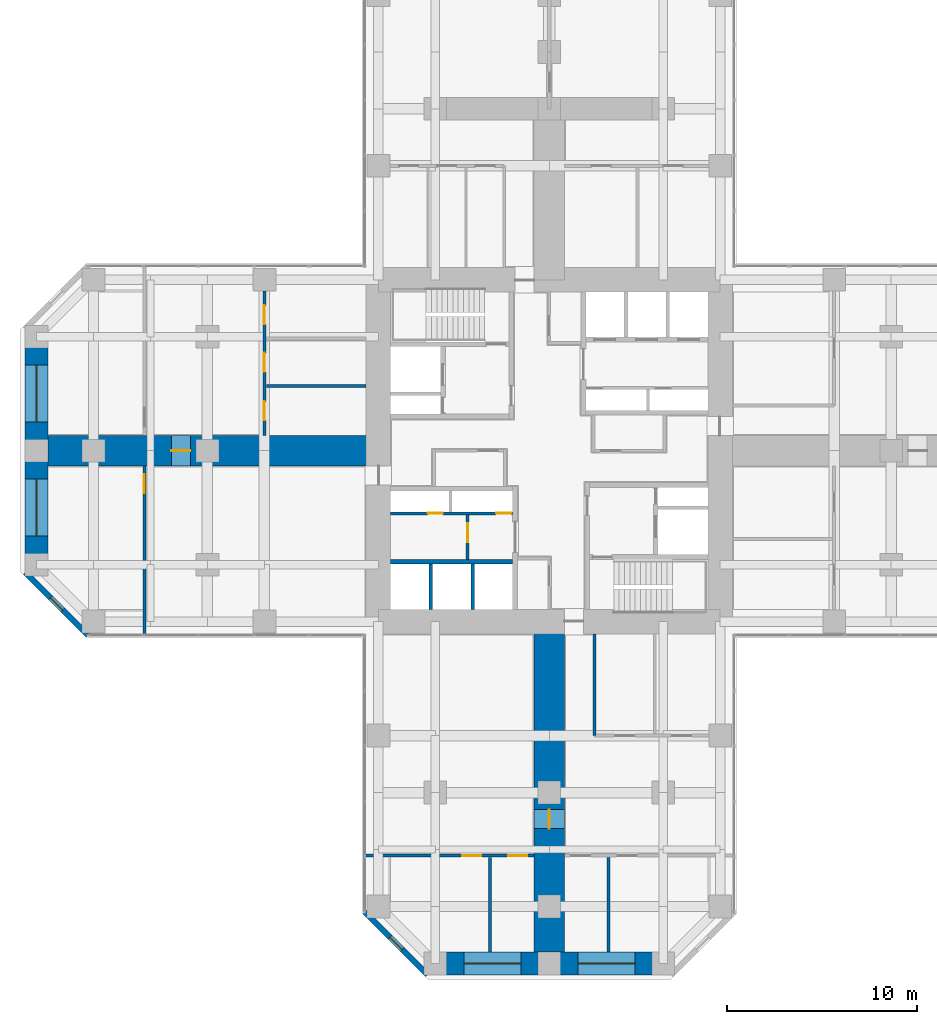
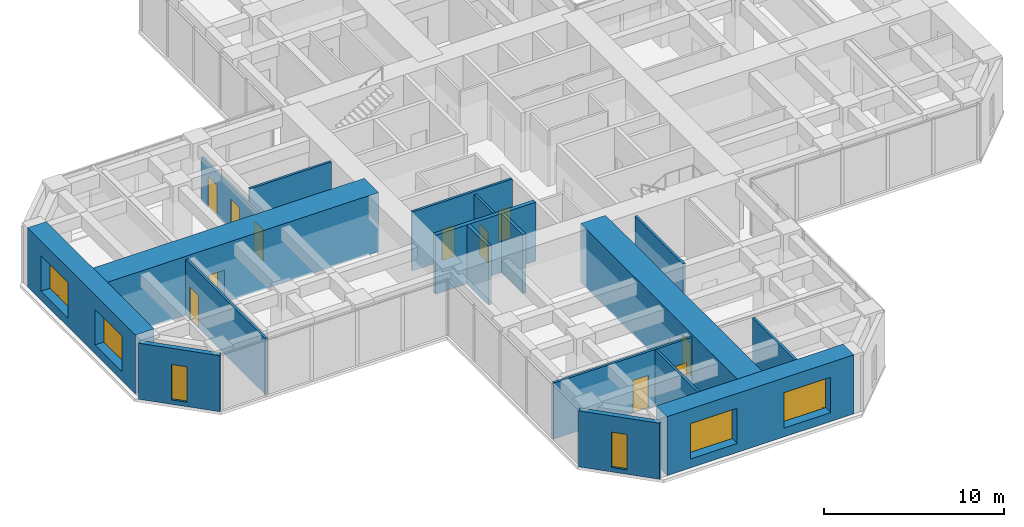
# One storey, part 8 of 13: 18 walls, 11 doors, 6 windows, 17 openings.
"""IFC4 building model written with IfcOpenShell, lengths in metres."""

import ifcopenshell
import ifcopenshell.guid

model = None  # the IFC model being written
_history = None  # IfcOwnerHistory: only IFC2X3 demands one
_inside = {}  # id of a spatial element -> (the spatial element, [elements in it])
_under = {}  # id of a project, library or spatial element -> (it, [spatial elements below it])
_declared = {}  # id of a project -> (the project, [libraries it declares])
_typed = {}  # id of a type object -> (the type object, [elements of that type])
_made_of = {}  # id of a material, layer set ... -> (it, [elements and type objects made of it])


def new_model(schema):
    """Start an empty IFC model of exactly this schema.

    Asked for "IFC4X3", IfcOpenShell would pick the latest addendum, in which some entities
    have other attributes; the version numbers below select the first issue.
    IFC2X3 requires an IfcOwnerHistory on every rooted entity: one is made here for all.
    """
    global model, _history
    if schema == "IFC4X3":
        model = ifcopenshell.file(schema_version=(4, 3, 0, 0))
    else:
        model = ifcopenshell.file(schema=schema)
    _inside.clear()
    _under.clear()
    _declared.clear()
    _typed.clear()
    _made_of.clear()
    _history = None
    if model.schema == "IFC2X3":
        org = make("IfcOrganization", Name="unknown")
        user = make(
            "IfcPersonAndOrganization",
            ThePerson=make("IfcPerson", FamilyName="unknown"),
            TheOrganization=org,
        )
        app = make(
            "IfcApplication",
            ApplicationDeveloper=org,
            Version="unknown",
            ApplicationFullName="unknown",
            ApplicationIdentifier="unknown",
        )
        _history = make(
            "IfcOwnerHistory",
            OwningUser=user,
            OwningApplication=app,
            ChangeAction="ADDED",
            CreationDate=0,
        )
    return model


def make(cls, **values):
    """One entity of the class cls with the attributes given. An attribute that is None is left unset."""
    return model.create_entity(
        cls, **{name: value for name, value in values.items() if value is not None}
    )


def rooted(cls, **values):
    """An entity with a GlobalId (a new one), such as an element, a storey or a relation."""
    return make(cls, GlobalId=ifcopenshell.guid.new(), OwnerHistory=_history, **values)


def si_unit(unit_type, name, prefix=None):
    """IfcSIUnit, for example si_unit("LENGTHUNIT", "METRE", prefix="MILLI")."""
    return make("IfcSIUnit", UnitType=unit_type, Prefix=prefix, Name=name)


def assignment(units):
    """IfcUnitAssignment: the units of a project."""
    return None if units is None else make("IfcUnitAssignment", Units=units)


def point(xyz):
    """IfcCartesianPoint."""
    return None if xyz is None else make("IfcCartesianPoint", Coordinates=xyz)


def direction(xyz):
    """IfcDirection."""
    return None if xyz is None else make("IfcDirection", DirectionRatios=xyz)


def frame(location, z_axis=None, x_axis=None):
    """IfcAxis2Placement3D, a coordinate frame: its origin and axes. An axis left out is left unset."""
    return make(
        "IfcAxis2Placement3D",
        Location=point(location),
        Axis=direction(z_axis),
        RefDirection=direction(x_axis),
    )


def frame_2d(location, x_axis=None):
    """IfcAxis2Placement2D, a coordinate frame in the plane: its origin and x axis."""
    return make(
        "IfcAxis2Placement2D", Location=point(location), RefDirection=direction(x_axis)
    )


def origin():
    """The frame at (0, 0, 0) with its axes left unset."""
    return frame((0.0, 0.0, 0.0))


def place(relative_to, where):
    """IfcLocalPlacement: puts the frame where relative to a parent placement (None: the world)."""
    return make(
        "IfcLocalPlacement", PlacementRelTo=relative_to, RelativePlacement=where
    )


def context(
    kind, dimensions, precision=None, world=None, true_north=None, identifier=None
):
    """IfcGeometricRepresentationContext, for example the 3D "Model" context."""
    return make(
        "IfcGeometricRepresentationContext",
        ContextIdentifier=identifier,
        ContextType=kind,
        CoordinateSpaceDimension=dimensions,
        Precision=precision,
        WorldCoordinateSystem=world,
        TrueNorth=true_north,
    )


def subcontext(parent, identifier, kind, view, scale=None):
    """IfcGeometricRepresentationSubContext, for example "Body" below "Model"."""
    return make(
        "IfcGeometricRepresentationSubContext",
        ContextIdentifier=identifier,
        ContextType=kind,
        ParentContext=parent,
        TargetScale=scale,
        TargetView=view,
    )


def project(units=None, contexts=None):
    """IfcProject with its units and contexts."""
    return rooted(
        "IfcProject",
        Name="project",
        RepresentationContexts=contexts,
        UnitsInContext=assignment(units),
    )


def spatial(cls, under=None, at=None, **own):
    """A site, building, storey or space (cls), placed at a placement, below another one or the project."""
    s = rooted(cls, ObjectPlacement=at, **own)
    if under is not None:
        _under.setdefault(under.id(), (under, []))[1].append(s)
    return s


def profile(cls, at=None, kind="AREA", **sizes):
    """A parametric profile (cls). Its sizes go by their IFC names, for example OverallWidth=200.0."""
    return make(cls, ProfileType=kind, Position=at, **sizes)


def rectangle(**sizes):
    """IfcRectangleProfileDef."""
    return profile("IfcRectangleProfileDef", **sizes)


def hollow_rectangle(**sizes):
    """IfcRectangleHollowProfileDef."""
    return profile("IfcRectangleHollowProfileDef", **sizes)


def extrude(swept, where, along, depth):
    """IfcExtrudedAreaSolid: the profile swept, set in the frame where, extruded along a direction by depth."""
    return make(
        "IfcExtrudedAreaSolid",
        SweptArea=swept,
        Position=where,
        ExtrudedDirection=direction(along),
        Depth=depth,
    )


def shape(context_of_items, identifier, shape_type, items):
    """IfcShapeRepresentation: the items that make up one representation, for example the "Body"."""
    return make(
        "IfcShapeRepresentation",
        ContextOfItems=context_of_items,
        RepresentationIdentifier=identifier,
        RepresentationType=shape_type,
        Items=items,
    )


def material(Name=None, Category=None):
    """IfcMaterial."""
    return make("IfcMaterial", Name=Name, Category=Category)


def layer(
    of_material, thickness, ventilated=None, Name=None, Category=None, Priority=None
):
    """IfcMaterialLayer: one layer of a wall or slab, of a material (None: an air gap)."""
    return make(
        "IfcMaterialLayer",
        Material=of_material,
        LayerThickness=thickness,
        IsVentilated=ventilated,
        Name=Name,
        Category=Category,
        Priority=Priority,
    )


def layer_set(layers, Name=None):
    """IfcMaterialLayerSet."""
    return make("IfcMaterialLayerSet", MaterialLayers=layers, LayerSetName=Name)


def constituent(of_material, Name=None, Category=None, fraction=None):
    """IfcMaterialConstituent: one of the materials an element consists of."""
    return make(
        "IfcMaterialConstituent",
        Name=Name,
        Material=of_material,
        Fraction=fraction,
        Category=Category,
    )


def constituent_set(constituents=None, Name=None):
    """IfcMaterialConstituentSet."""
    return make(
        "IfcMaterialConstituentSet", Name=Name, MaterialConstituents=constituents
    )


def made_of(thing, what):
    """Note that an element or type object is made of a material, layer set ...; save() writes the relation."""
    if what is not None:
        _made_of.setdefault(what.id(), (what, []))[1].append(thing)
    return thing


def type_object(cls, material=None, **own):
    """A type object (cls), such as IfcWallType, which elements share."""
    return made_of(rooted(cls, **own), material)


def element(
    cls,
    number,
    at=None,
    inside=None,
    cuts=None,
    type_object=None,
    material=None,
    context=None,
    identifier="Body",
    shape_type=None,
    held_by="IfcProductDefinitionShape",
    body=None,
    shapes=None,
    **own,
):
    """One element of the class cls, such as IfcWall. Its Tag is "e" and its number.

    at: its placement. inside: the storey or other place that contains it. cuts: it is an
    opening in that element (IfcRelVoidsElement). A single representation is given by context,
    identifier, shape_type and body (its items); several are given by shapes. held_by: the class
    of the entity that holds the representations. save() writes the other relations.
    """
    e = rooted(cls, Tag="e%d" % number, ObjectPlacement=at, **own)
    if body is not None:
        shapes = [shape(context, identifier, shape_type, body)]
    if shapes is not None:
        e.Representation = make(held_by, Representations=shapes)
    if inside is not None:
        _inside.setdefault(inside.id(), (inside, []))[1].append(e)
    if cuts is not None:
        rooted(
            "IfcRelVoidsElement", RelatingBuildingElement=cuts, RelatedOpeningElement=e
        )
    if type_object is not None:
        _typed.setdefault(type_object.id(), (type_object, []))[1].append(e)
    return made_of(e, material)


def fill(opening, filler):
    """IfcRelFillsElement: the door or window that sits in an opening."""
    return rooted(
        "IfcRelFillsElement",
        RelatingOpeningElement=opening,
        RelatedBuildingElement=filler,
    )


def aggregate(whole, parts):
    """IfcRelAggregates: a whole, such as a stair, and the parts it consists of."""
    return rooted("IfcRelAggregates", RelatingObject=whole, RelatedObjects=parts)


def save(model, path):
    """Write the relations noted so far, then the file.

    IfcRelAggregates (storeys below a building ...), IfcRelContainedInSpatialStructure (elements
    in a storey), IfcRelDefinesByType, IfcRelAssociatesMaterial and IfcRelDeclares: one each for
    every whole, place, type object, material and project.
    """
    for whole, parts in _under.values():
        aggregate(whole, parts)
    for where, things in _inside.values():
        rooted(
            "IfcRelContainedInSpatialStructure",
            RelatedElements=things,
            RelatingStructure=where,
        )
    for kind, things in _typed.values():
        rooted("IfcRelDefinesByType", RelatedObjects=things, RelatingType=kind)
    for what, things in _made_of.values():
        rooted("IfcRelAssociatesMaterial", RelatedObjects=things, RelatingMaterial=what)
    for by, libraries in _declared.values():
        rooted("IfcRelDeclares", RelatingContext=by, RelatedDefinitions=libraries)
    model.write(path)


model = new_model("IFC4")

# Units and contexts
model_context = context("Model", 3, precision=1e-05, world=origin(), true_north=direction((0.0, 1.0)))
body_context = subcontext(model_context, "Body", "Model", "MODEL_VIEW")
ifc_project = project(units=[si_unit("LENGTHUNIT", "METRE"), si_unit("AREAUNIT", "SQUARE_METRE"), si_unit("VOLUMEUNIT", "CUBIC_METRE"), si_unit("PLANEANGLEUNIT", "RADIAN"), si_unit("MASSUNIT", "GRAM", prefix="KILO")], contexts=[model_context])

# Site, building, storey
site_placement = place(None, origin())
site = spatial("IfcSite", under=ifc_project, at=site_placement, CompositionType="ELEMENT")
building_placement = place(site_placement, origin())
building = spatial("IfcBuilding", under=site, at=building_placement, Name="Torre Cruceta", CompositionType="ELEMENT")
storey_placement = place(building_placement, frame((0.0, 0.0, 27.5)))
storey = spatial("IfcBuildingStorey", under=building, at=storey_placement, Name="L06", CompositionType="ELEMENT", Elevation=27.5)

# Wall
ifc_material_1 = material(Name="Concrete G60 (fck 60 MPa)", Category="concrete")
ifc_layer_1 = layer(ifc_material_1, 0.25)
ifc_layer_set_1 = layer_set([ifc_layer_1], Name="Concrete G60 (fck 60 MPa)")
wall_type_1 = type_object("IfcWallType", Name="CORE INNER WALL 250 G60", PredefinedType="SHEAR", material=ifc_layer_set_1)
wall_1_placement = place(storey_placement, frame((-1.925048828125, -5.85009765625, 0.0), z_axis=(0.0, 0.0, 1.0), x_axis=(-1.0, 0.0, 0.0)))
element("IfcWall", 1, at=wall_1_placement, inside=storey, type_object=wall_type_1, Name="CW4 L06 SW-LV", PredefinedType="SHEAR", context=body_context, shape_type="SweptSolid", body=[
    extrude(rectangle(XDim=6.425048828125, YDim=0.25, at=frame_2d((3.21240234375, 0.0))), origin(), (0.0, 0.0, 1.0), 4.0),
])

# Wall, opening, window
ifc_material_2 = material(Name="Concrete G30 (fck 30 MPa)", Category="concrete")
ifc_layer_2 = layer(ifc_material_2, 0.300048828125)
ifc_layer_set_2 = layer_set([ifc_layer_2], Name="Concrete G30 (fck 30 MPa)")
wall_type_2 = type_object("IfcWallType", Name="EXPOSED CONCRETE FACADE WALL 300", PredefinedType="SOLIDWALL", material=ifc_layer_set_2)
wall_2_placement = place(storey_placement, frame((-27.60009765625, -6.418212890625, 0.0), z_axis=(0.0, 0.0, 1.0), x_axis=(0.707106781187, -0.707106781187, 0.0)))
wall_2 = element("IfcWall", 2, at=wall_2_placement, inside=storey, type_object=wall_type_2, Name="EW1 facade wall L06 W chamfer 13", PredefinedType="SOLIDWALL", context=body_context, shape_type="SweptSolid", body=[
    extrude(rectangle(XDim=4.66943359375, YDim=0.300048828125, at=frame_2d((2.334716796875, 0.0))), origin(), (0.0, 0.0, 1.0), 3.800048828125),
])
opening_1_placement = place(wall_2_placement, frame((1.884765625, 0.0, 0.300048828125)))
opening_1 = element("IfcOpeningElement", 3, at=opening_1_placement, cuts=wall_2, Name="Opening WN5", PredefinedType="OPENING", context=body_context, shape_type="SweptSolid", body=[
    extrude(rectangle(XDim=0.89990234375, YDim=2.39990234375, at=frame_2d((0.449951171875, 1.199951171875))), frame((0.0, 0.159912109375, 0.0), z_axis=(0.0, -1.0, 0.0), x_axis=(1.0, 0.0, 0.0)), (0.0, 0.0, 1.0), 0.320068359375),
])
ifc_material_3 = material(Name="Aluminium window frame", Category="aluminium")
ifc_constituent_1 = constituent(ifc_material_3, Name="Frame")
ifc_material_4 = material(Name="Laminated insulating glass unit, low-iron clear", Category="glass")
ifc_constituent_2 = constituent(ifc_material_4, Name="Glazing")
ifc_constituent_set_1 = constituent_set(constituents=[ifc_constituent_1, ifc_constituent_2], Name="Aluminium window")
window_type_1 = type_object("IfcWindowType", Name="CHAMFER SLOT WINDOW 900X2400", PartitioningType="SINGLE_PANEL", PredefinedType="WINDOW", material=ifc_constituent_set_1)
window_1_placement = place(opening_1_placement, origin())
window_1 = element("IfcWindow", 4, at=window_1_placement, inside=storey, type_object=window_type_1, Name="WN5 L06 W 1", OverallHeight=2.39990234375, OverallWidth=0.89990234375, PartitioningType="SINGLE_PANEL", PredefinedType="WINDOW", context=body_context, shape_type="SweptSolid", body=[
    extrude(hollow_rectangle(XDim=0.89990234375, YDim=2.39990234375, WallThickness=0.06005859375, at=frame_2d((0.449951171875, 1.199951171875))), frame((0.0, 0.030029296875, 0.0), z_axis=(0.0, -1.0, 0.0), x_axis=(1.0, 0.0, 0.0)), (0.0, 0.0, 1.0), 0.06005859375),
    extrude(rectangle(XDim=0.77880859375, YDim=2.27880859375, at=frame_2d((0.449951171875, 1.199951171875))), frame((0.0, 0.030029296875, 0.0), z_axis=(0.0, -1.0, 0.0), x_axis=(1.0, 0.0, 0.0)), (0.0, 0.0, 1.0), 0.06005859375),
])
fill(opening_1, window_1)

wall_3_placement = place(storey_placement, frame((-9.719970703125, -24.29833984375, 0.0), z_axis=(0.0, 0.0, 1.0), x_axis=(0.707106781187, -0.707106781187, 0.0)))
wall_3 = element("IfcWall", 5, at=wall_3_placement, inside=storey, type_object=wall_type_2, Name="EW1 facade wall L06 S chamfer 16", PredefinedType="SOLIDWALL", context=body_context, shape_type="SweptSolid", body=[
    extrude(rectangle(XDim=4.66943359375, YDim=0.300048828125, at=frame_2d((2.334716796875, 0.0))), origin(), (0.0, 0.0, 1.0), 3.800048828125),
])
opening_2_placement = place(wall_3_placement, frame((1.884765625, 0.0, 0.300048828125)))
opening_2 = element("IfcOpeningElement", 6, at=opening_2_placement, cuts=wall_3, Name="Opening WN5", PredefinedType="OPENING", context=body_context, shape_type="SweptSolid", body=[
    extrude(rectangle(XDim=0.89990234375, YDim=2.39990234375, at=frame_2d((0.449951171875, 1.199951171875))), frame((0.0, 0.159912109375, 0.0), z_axis=(0.0, -1.0, 0.0), x_axis=(1.0, 0.0, 0.0)), (0.0, 0.0, 1.0), 0.320068359375),
])
window_2_placement = place(opening_2_placement, origin())
window_2 = element("IfcWindow", 7, at=window_2_placement, inside=storey, type_object=window_type_1, Name="WN5 L06 S 1", OverallHeight=2.39990234375, OverallWidth=0.89990234375, PartitioningType="SINGLE_PANEL", PredefinedType="WINDOW", context=body_context, shape_type="SweptSolid", body=[
    extrude(hollow_rectangle(XDim=0.89990234375, YDim=2.39990234375, WallThickness=0.06005859375, at=frame_2d((0.449951171875, 1.199951171875))), frame((0.0, 0.030029296875, 0.0), z_axis=(0.0, -1.0, 0.0), x_axis=(1.0, 0.0, 0.0)), (0.0, 0.0, 1.0), 0.06005859375),
    extrude(rectangle(XDim=0.77880859375, YDim=2.27880859375, at=frame_2d((0.449951171875, 1.199951171875))), frame((0.0, 0.030029296875, 0.0), z_axis=(0.0, -1.0, 0.0), x_axis=(1.0, 0.0, 0.0)), (0.0, 0.0, 1.0), 0.06005859375),
])
fill(opening_2, window_2)

# Walls
ifc_material_5 = material(Name="Concrete G35 (fck 35 MPa)", Category="concrete")
ifc_layer_3 = layer(ifc_material_5, 0.199951171875)
ifc_layer_set_3 = layer_set([ifc_layer_3], Name="Concrete G35 (fck 35 MPa)")
wall_type_3 = type_object("IfcWallType", Name="LIFT SHAFT WALL 200", PredefinedType="PARTITIONING", material=ifc_layer_set_3)
for number, where, z_axis, x_axis, name in (
    (8, (-4.033447265625, -5.97509765625, 0.0), (0.0, 0.0, 1.0), (0.0, -1.0, 0.0), "SW1 L06 SW-LS1"),
    (9, (-6.24169921875, -5.97509765625, 0.0), (0.0, 0.0, 1.0), (0.0, -1.0, 0.0), "SW1 L06 SW-LS2"),
):
    element("IfcWall", number, at=place(storey_placement, frame(where, z_axis=z_axis, x_axis=x_axis)), inside=storey, type_object=wall_type_3, Name=name, PredefinedType="PARTITIONING", context=body_context, shape_type="SweptSolid", body=[
        extrude(rectangle(XDim=2.375, YDim=0.199951171875, at=frame_2d((1.1875, 0.0))), origin(), (0.0, 0.0, 1.0), 4.0),
    ])

# Wall, openings, windows
ifc_material_6 = material(Name="Concrete G60 (fck 60 MPa)", Category="concrete")
ifc_layer_4 = layer(ifc_material_6, 1.199951171875)
ifc_layer_set_4 = layer_set([ifc_layer_4], Name="Concrete G60 (fck 60 MPa)")
wall_type_4 = type_object("IfcWallType", Name="NOSE WALL 1200 G60", PredefinedType="SHEAR", material=ifc_layer_set_4)
wall_4_placement = place(storey_placement, frame((-6.0, -27.0, 0.0), z_axis=(0.0, 0.0, 1.0), x_axis=(1.0, 0.0, 0.0)))
wall_4 = element("IfcWall", 10, at=wall_4_placement, inside=storey, type_object=wall_type_4, Name="NW1 nose wall L06 S", PredefinedType="SHEAR", context=body_context, shape_type="SweptSolid", body=[
    extrude(rectangle(XDim=12.0, YDim=1.199951171875, at=frame_2d((6.0, 0.0))), origin(), (0.0, 0.0, 1.0), 4.0),
])
opening_3_placement = place(wall_4_placement, frame((1.5, 0.0, 0.60009765625)))
opening_3 = element("IfcOpeningElement", 11, at=opening_3_placement, cuts=wall_4, Name="Opening WN6", PredefinedType="OPENING", context=body_context, shape_type="SweptSolid", body=[
    extrude(rectangle(XDim=3.0, YDim=2.39990234375, at=frame_2d((1.5, 1.199951171875))), frame((0.0, 0.60986328125, 0.0), z_axis=(0.0, -1.0, 0.0), x_axis=(1.0, 0.0, 0.0)), (0.0, 0.0, 1.0), 1.219970703125),
])
opening_4_placement = place(wall_4_placement, frame((7.5, 0.0, 0.60009765625)))
opening_4 = element("IfcOpeningElement", 12, at=opening_4_placement, cuts=wall_4, Name="Opening WN6", PredefinedType="OPENING", context=body_context, shape_type="SweptSolid", body=[
    extrude(rectangle(XDim=3.0, YDim=2.39990234375, at=frame_2d((1.5, 1.199951171875))), frame((0.0, 0.60986328125, 0.0), z_axis=(0.0, -1.0, 0.0), x_axis=(1.0, 0.0, 0.0)), (0.0, 0.0, 1.0), 1.219970703125),
])
ifc_material_7 = material(Name="Aluminium window frame", Category="aluminium")
ifc_constituent_3 = constituent(ifc_material_7, Name="Frame")
ifc_material_8 = material(Name="Laminated insulating glass unit, low-iron clear", Category="glass")
ifc_constituent_4 = constituent(ifc_material_8, Name="Glazing")
ifc_constituent_set_2 = constituent_set(constituents=[ifc_constituent_3, ifc_constituent_4], Name="Aluminium window")
window_type_2 = type_object("IfcWindowType", Name="NOSE WALL WINDOW 3000X2400", PartitioningType="SINGLE_PANEL", PredefinedType="WINDOW", material=ifc_constituent_set_2)
window_3_placement = place(opening_3_placement, origin())
window_3 = element("IfcWindow", 13, at=window_3_placement, inside=storey, type_object=window_type_2, Name="WN6 L06 S 1", OverallHeight=2.39990234375, OverallWidth=3.0, PartitioningType="SINGLE_PANEL", PredefinedType="WINDOW", context=body_context, shape_type="SweptSolid", body=[
    extrude(hollow_rectangle(XDim=3.0, YDim=2.39990234375, WallThickness=0.06005859375, at=frame_2d((1.5, 1.199951171875))), frame((0.0, 0.030029296875, 0.0), z_axis=(0.0, -1.0, 0.0), x_axis=(1.0, 0.0, 0.0)), (0.0, 0.0, 1.0), 0.06005859375),
    extrude(rectangle(XDim=2.87890625, YDim=2.27880859375, at=frame_2d((1.5, 1.199951171875))), frame((0.0, 0.030029296875, 0.0), z_axis=(0.0, -1.0, 0.0), x_axis=(1.0, 0.0, 0.0)), (0.0, 0.0, 1.0), 0.06005859375),
])
fill(opening_3, window_3)
window_4_placement = place(opening_4_placement, origin())
window_4 = element("IfcWindow", 14, at=window_4_placement, inside=storey, type_object=window_type_2, Name="WN6 L06 S 2", OverallHeight=2.39990234375, OverallWidth=3.0, PartitioningType="SINGLE_PANEL", PredefinedType="WINDOW", context=body_context, shape_type="SweptSolid", body=[
    extrude(hollow_rectangle(XDim=3.0, YDim=2.39990234375, WallThickness=0.06005859375, at=frame_2d((1.5, 1.199951171875))), frame((0.0, 0.030029296875, 0.0), z_axis=(0.0, -1.0, 0.0), x_axis=(1.0, 0.0, 0.0)), (0.0, 0.0, 1.0), 0.06005859375),
    extrude(rectangle(XDim=2.87890625, YDim=2.27880859375, at=frame_2d((1.5, 1.199951171875))), frame((0.0, 0.030029296875, 0.0), z_axis=(0.0, -1.0, 0.0), x_axis=(1.0, 0.0, 0.0)), (0.0, 0.0, 1.0), 0.06005859375),
])
fill(opening_4, window_4)

wall_5_placement = place(storey_placement, frame((-27.0, 6.0, 0.0), z_axis=(0.0, 0.0, 1.0), x_axis=(0.0, -1.0, 0.0)))
wall_5 = element("IfcWall", 15, at=wall_5_placement, inside=storey, type_object=wall_type_4, Name="NW1 nose wall L06 W", PredefinedType="SHEAR", context=body_context, shape_type="SweptSolid", body=[
    extrude(rectangle(XDim=12.0, YDim=1.199951171875, at=frame_2d((6.0, 0.0))), origin(), (0.0, 0.0, 1.0), 4.0),
])
opening_5_placement = place(wall_5_placement, frame((1.5, 0.0, 0.60009765625)))
opening_5 = element("IfcOpeningElement", 16, at=opening_5_placement, cuts=wall_5, Name="Opening WN6", PredefinedType="OPENING", context=body_context, shape_type="SweptSolid", body=[
    extrude(rectangle(XDim=3.0, YDim=2.39990234375, at=frame_2d((1.5, 1.199951171875))), frame((0.0, 0.60986328125, 0.0), z_axis=(0.0, -1.0, 0.0), x_axis=(1.0, 0.0, 0.0)), (0.0, 0.0, 1.0), 1.219970703125),
])
opening_6_placement = place(wall_5_placement, frame((7.5, 0.0, 0.60009765625)))
opening_6 = element("IfcOpeningElement", 17, at=opening_6_placement, cuts=wall_5, Name="Opening WN6", PredefinedType="OPENING", context=body_context, shape_type="SweptSolid", body=[
    extrude(rectangle(XDim=3.0, YDim=2.39990234375, at=frame_2d((1.5, 1.199951171875))), frame((0.0, 0.60986328125, 0.0), z_axis=(0.0, -1.0, 0.0), x_axis=(1.0, 0.0, 0.0)), (0.0, 0.0, 1.0), 1.219970703125),
])
window_5_placement = place(opening_5_placement, origin())
window_5 = element("IfcWindow", 18, at=window_5_placement, inside=storey, type_object=window_type_2, Name="WN6 L06 W 1", OverallHeight=2.39990234375, OverallWidth=3.0, PartitioningType="SINGLE_PANEL", PredefinedType="WINDOW", context=body_context, shape_type="SweptSolid", body=[
    extrude(hollow_rectangle(XDim=3.0, YDim=2.39990234375, WallThickness=0.06005859375, at=frame_2d((1.5, 1.199951171875))), frame((0.0, 0.030029296875, 0.0), z_axis=(0.0, -1.0, 0.0), x_axis=(1.0, 0.0, 0.0)), (0.0, 0.0, 1.0), 0.06005859375),
    extrude(rectangle(XDim=2.87890625, YDim=2.27880859375, at=frame_2d((1.5, 1.199951171875))), frame((0.0, 0.030029296875, 0.0), z_axis=(0.0, -1.0, 0.0), x_axis=(1.0, 0.0, 0.0)), (0.0, 0.0, 1.0), 0.06005859375),
])
fill(opening_5, window_5)
window_6_placement = place(opening_6_placement, origin())
window_6 = element("IfcWindow", 19, at=window_6_placement, inside=storey, type_object=window_type_2, Name="WN6 L06 W 2", OverallHeight=2.39990234375, OverallWidth=3.0, PartitioningType="SINGLE_PANEL", PredefinedType="WINDOW", context=body_context, shape_type="SweptSolid", body=[
    extrude(hollow_rectangle(XDim=3.0, YDim=2.39990234375, WallThickness=0.06005859375, at=frame_2d((1.5, 1.199951171875))), frame((0.0, 0.030029296875, 0.0), z_axis=(0.0, -1.0, 0.0), x_axis=(1.0, 0.0, 0.0)), (0.0, 0.0, 1.0), 0.06005859375),
    extrude(rectangle(XDim=2.87890625, YDim=2.27880859375, at=frame_2d((1.5, 1.199951171875))), frame((0.0, 0.030029296875, 0.0), z_axis=(0.0, -1.0, 0.0), x_axis=(1.0, 0.0, 0.0)), (0.0, 0.0, 1.0), 0.06005859375),
])
fill(opening_6, window_6)

# Wall, opening, door
ifc_material_9 = material(Name="Plasterboard on steel studs", Category="steel")
ifc_layer_5 = layer(ifc_material_9, 0.14990234375)
ifc_layer_set_5 = layer_set([ifc_layer_5], Name="Plasterboard on steel studs")
wall_type_5 = type_object("IfcWallType", Name="PARTITION 150", PredefinedType="PARTITIONING", material=ifc_layer_set_5)
wall_6_placement = place(storey_placement, frame((-4.300048828125, -3.375, 0.0), z_axis=(0.0, 0.0, 1.0), x_axis=(0.0, -1.0, 0.0)))
wall_6 = element("IfcWall", 20, at=wall_6_placement, inside=storey, type_object=wall_type_5, Name="PT1 L06-CORE-SW-X", PredefinedType="PARTITIONING", context=body_context, shape_type="SweptSolid", body=[
    extrude(rectangle(XDim=2.35009765625, YDim=0.14990234375, at=frame_2d((1.175048828125, 0.0))), origin(), (0.0, 0.0, 1.0), 3.800048828125),
])
opening_7_placement = place(wall_6_placement, frame((0.449951171875, 0.0, 0.0)))
opening_7 = element("IfcOpeningElement", 21, at=opening_7_placement, cuts=wall_6, Name="Opening D3", PredefinedType="OPENING", context=body_context, shape_type="SweptSolid", body=[
    extrude(rectangle(XDim=1.0, YDim=2.10009765625, at=frame_2d((0.5, 1.050048828125))), frame((0.0, 0.0849609375, 0.0), z_axis=(0.0, -1.0, 0.0), x_axis=(1.0, 0.0, 0.0)), (0.0, 0.0, 1.0), 0.169921875),
])
ifc_material_10 = material(Name="Steel DX51D", Category="steel")
ifc_constituent_5 = constituent(ifc_material_10, Name="Leaf and frame")
ifc_material_11 = material(Name="Polyester powder coating", Category="paint")
ifc_constituent_6 = constituent(ifc_material_11, Name="Finish")
ifc_constituent_set_3 = constituent_set(constituents=[ifc_constituent_5, ifc_constituent_6], Name="Steel fire door")
door_type_1 = type_object("IfcDoorType", Name="FIRE DOOR 1000X2100", OperationType="SINGLE_SWING_LEFT", PredefinedType="DOOR", material=ifc_constituent_set_3)
door_1_placement = place(opening_7_placement, origin())
door_1 = element("IfcDoor", 22, at=door_1_placement, inside=storey, type_object=door_type_1, Name="D3 L06-CORE-SW-X-D1", OperationType="SINGLE_SWING_LEFT", OverallHeight=2.10009765625, OverallWidth=1.0, PredefinedType="DOOR", context=body_context, shape_type="SweptSolid", body=[
    extrude(rectangle(XDim=1.0, YDim=2.10009765625, at=frame_2d((0.5, 1.050048828125))), frame((0.0, 0.02490234375, 0.0), z_axis=(0.0, -1.0, 0.0), x_axis=(1.0, 0.0, 0.0)), (0.0, 0.0, 1.0), 0.050048828125),
])
fill(opening_7, door_1)

# Walls
wall_7_placement = place(storey_placement, frame((2.375, -9.64990234375, 0.0), z_axis=(0.0, 0.0, 1.0), x_axis=(0.0, -1.0, 0.0)))
element("IfcWall", 23, at=wall_7_placement, inside=storey, type_object=wall_type_5, Name="PT1 L06-S-BSL", PredefinedType="PARTITIONING", context=body_context, shape_type="SweptSolid", body=[
    extrude(rectangle(XDim=5.35009765625, YDim=0.14990234375, at=frame_2d((2.675048828125, 0.0))), origin(), (0.0, 0.0, 1.0), 3.800048828125),
])
for number, where, z_axis, x_axis, name in (
    (24, (3.117919921875, -21.419921875, 0.0), (0.0, 0.0, 1.0), (0.0, -1.0, 0.0), "PT1 L06-S-TDL"),
    (25, (-3.117919921875, -21.419921875, 0.0), (0.0, 0.0, 1.0), (0.0, -1.0, 0.0), "PT1 L06-S-TDR"),
):
    element("IfcWall", number, at=place(storey_placement, frame(where, z_axis=z_axis, x_axis=x_axis)), inside=storey, type_object=wall_type_5, Name=name, PredefinedType="PARTITIONING", context=body_context, shape_type="SweptSolid", body=[
        extrude(rectangle(XDim=4.97998046875, YDim=0.14990234375, at=frame_2d((2.489990234375, 0.0))), origin(), (0.0, 0.0, 1.0), 3.800048828125),
    ])

# Wall, openings, doors
wall_8_placement = place(storey_placement, frame((-9.679931640625, -21.320068359375, 0.0), z_axis=(0.0, 0.0, 1.0), x_axis=(1.0, 0.0, 0.0)))
wall_8 = element("IfcWall", 26, at=wall_8_placement, inside=storey, type_object=wall_type_5, Name="PT1 L06-S-TWR", PredefinedType="PARTITIONING", context=body_context, shape_type="SweptSolid", body=[
    extrude(rectangle(XDim=8.8798828125, YDim=0.14990234375, at=frame_2d((4.43994140625, 0.0))), origin(), (0.0, 0.0, 1.0), 3.800048828125),
])
opening_8_placement = place(wall_8_placement, frame((5.0869140625, 0.0, 0.0)))
opening_8 = element("IfcOpeningElement", 27, at=opening_8_placement, cuts=wall_8, Name="Opening D14", PredefinedType="OPENING", context=body_context, shape_type="SweptSolid", body=[
    extrude(rectangle(XDim=1.0, YDim=2.199951171875, at=frame_2d((0.5, 1.10009765625))), frame((0.0, 0.0849609375, 0.0), z_axis=(0.0, -1.0, 0.0), x_axis=(1.0, 0.0, 0.0)), (0.0, 0.0, 1.0), 0.169921875),
])
opening_9_placement = place(wall_8_placement, frame((7.530029296875, 0.0, 0.0)))
opening_9 = element("IfcOpeningElement", 28, at=opening_9_placement, cuts=wall_8, Name="Opening D14", PredefinedType="OPENING", context=body_context, shape_type="SweptSolid", body=[
    extrude(rectangle(XDim=1.0, YDim=2.199951171875, at=frame_2d((0.5, 1.10009765625))), frame((0.0, 0.0849609375, 0.0), z_axis=(0.0, -1.0, 0.0), x_axis=(1.0, 0.0, 0.0)), (0.0, 0.0, 1.0), 0.169921875),
])
ifc_material_12 = material(Name="Steel DX51D", Category="steel")
ifc_constituent_7 = constituent(ifc_material_12, Name="Leaf and frame")
ifc_material_13 = material(Name="Polyester powder coating", Category="paint")
ifc_constituent_8 = constituent(ifc_material_13, Name="Finish")
ifc_material_14 = material(Name="Fire-resisting glass", Category="glass")
ifc_constituent_9 = constituent(ifc_material_14, Name="Vision panel")
ifc_constituent_set_4 = constituent_set(constituents=[ifc_constituent_7, ifc_constituent_8, ifc_constituent_9], Name="Steel fire door with vision panel")
door_type_2 = type_object("IfcDoorType", Name="FIRE DOOR VISION PANEL 1000X2200", OperationType="SINGLE_SWING_RIGHT", PredefinedType="DOOR", material=ifc_constituent_set_4)
door_2_placement = place(opening_8_placement, frame((1.0, 0.0, 0.0), z_axis=(0.0, 0.0, 1.0), x_axis=(-1.0, 0.0, 0.0)))
door_2 = element("IfcDoor", 29, at=door_2_placement, inside=storey, type_object=door_type_2, Name="D14 L06-S-TWR-D1", OperationType="SINGLE_SWING_LEFT", OverallHeight=2.199951171875, OverallWidth=1.0, PredefinedType="DOOR", context=body_context, shape_type="SweptSolid", body=[
    extrude(rectangle(XDim=1.0, YDim=2.199951171875, at=frame_2d((0.5, 1.10009765625))), frame((0.0, 0.025146484375, 0.0), z_axis=(0.0, -1.0, 0.0), x_axis=(1.0, 0.0, 0.0)), (0.0, 0.0, 1.0), 0.050048828125),
])
fill(opening_8, door_2)
door_3_placement = place(opening_9_placement, frame((1.0, 0.0, 0.0), z_axis=(0.0, 0.0, 1.0), x_axis=(-1.0, 0.0, 0.0)))
door_3 = element("IfcDoor", 30, at=door_3_placement, inside=storey, type_object=door_type_2, Name="D14 L06-S-TWR-D2", OperationType="SINGLE_SWING_LEFT", OverallHeight=2.199951171875, OverallWidth=1.0, PredefinedType="DOOR", context=body_context, shape_type="SweptSolid", body=[
    extrude(rectangle(XDim=1.0, YDim=2.199951171875, at=frame_2d((0.5, 1.10009765625))), frame((0.0, 0.025146484375, 0.0), z_axis=(0.0, -1.0, 0.0), x_axis=(1.0, 0.0, 0.0)), (0.0, 0.0, 1.0), 0.050048828125),
])
fill(opening_9, door_3)

wall_9_placement = place(storey_placement, frame((-15.0, 8.39990234375, 0.0), z_axis=(0.0, 0.0, 1.0), x_axis=(0.0, -1.0, 0.0)))
wall_9 = element("IfcWall", 31, at=wall_9_placement, inside=storey, type_object=wall_type_5, Name="PT1 L06-W-BFR", PredefinedType="PARTITIONING", context=body_context, shape_type="SweptSolid", body=[
    extrude(rectangle(XDim=7.599853515625, YDim=0.14990234375, at=frame_2d((3.7998046875, 0.0))), origin(), (0.0, 0.0, 1.0), 2.949951171875),
])
opening_10_placement = place(wall_9_placement, frame((0.75, 0.0, 0.0)))
opening_10 = element("IfcOpeningElement", 32, at=opening_10_placement, cuts=wall_9, Name="Opening D3", PredefinedType="OPENING", context=body_context, shape_type="SweptSolid", body=[
    extrude(rectangle(XDim=1.0, YDim=2.10009765625, at=frame_2d((0.5, 1.050048828125))), frame((0.0, 0.0849609375, 0.0), z_axis=(0.0, -1.0, 0.0), x_axis=(1.0, 0.0, 0.0)), (0.0, 0.0, 1.0), 0.169921875),
])
opening_11_placement = place(wall_9_placement, frame((3.25, 0.0, 0.0)))
opening_11 = element("IfcOpeningElement", 33, at=opening_11_placement, cuts=wall_9, Name="Opening D3", PredefinedType="OPENING", context=body_context, shape_type="SweptSolid", body=[
    extrude(rectangle(XDim=1.0, YDim=2.10009765625, at=frame_2d((0.5, 1.050048828125))), frame((0.0, 0.0849609375, 0.0), z_axis=(0.0, -1.0, 0.0), x_axis=(1.0, 0.0, 0.0)), (0.0, 0.0, 1.0), 0.169921875),
])
opening_12_placement = place(wall_9_placement, frame((5.800048828125, 0.0, 0.0)))
opening_12 = element("IfcOpeningElement", 34, at=opening_12_placement, cuts=wall_9, Name="Opening D3", PredefinedType="OPENING", context=body_context, shape_type="SweptSolid", body=[
    extrude(rectangle(XDim=1.0, YDim=2.10009765625, at=frame_2d((0.5, 1.050048828125))), frame((0.0, 0.0849609375, 0.0), z_axis=(0.0, -1.0, 0.0), x_axis=(1.0, 0.0, 0.0)), (0.0, 0.0, 1.0), 0.169921875),
])
door_4_placement = place(opening_10_placement, origin())
door_4 = element("IfcDoor", 35, at=door_4_placement, inside=storey, type_object=door_type_1, Name="D3 L06-W-BFR-D1", OperationType="SINGLE_SWING_RIGHT", OverallHeight=2.10009765625, OverallWidth=1.0, PredefinedType="DOOR", context=body_context, shape_type="SweptSolid", body=[
    extrude(rectangle(XDim=1.0, YDim=2.10009765625, at=frame_2d((0.5, 1.050048828125))), frame((0.0, 0.02490234375, 0.0), z_axis=(0.0, -1.0, 0.0), x_axis=(1.0, 0.0, 0.0)), (0.0, 0.0, 1.0), 0.050048828125),
])
fill(opening_10, door_4)
door_5_placement = place(opening_11_placement, origin())
door_5 = element("IfcDoor", 36, at=door_5_placement, inside=storey, type_object=door_type_1, Name="D3 L06-W-BFR-D2", OperationType="SINGLE_SWING_LEFT", OverallHeight=2.10009765625, OverallWidth=1.0, PredefinedType="DOOR", context=body_context, shape_type="SweptSolid", body=[
    extrude(rectangle(XDim=1.0, YDim=2.10009765625, at=frame_2d((0.5, 1.050048828125))), frame((0.0, 0.02490234375, 0.0), z_axis=(0.0, -1.0, 0.0), x_axis=(1.0, 0.0, 0.0)), (0.0, 0.0, 1.0), 0.050048828125),
])
fill(opening_11, door_5)
door_6_placement = place(opening_12_placement, origin())
door_6 = element("IfcDoor", 37, at=door_6_placement, inside=storey, type_object=door_type_1, Name="D3 L06-W-BFR-D3", OperationType="SINGLE_SWING_LEFT", OverallHeight=2.10009765625, OverallWidth=1.0, PredefinedType="DOOR", context=body_context, shape_type="SweptSolid", body=[
    extrude(rectangle(XDim=1.0, YDim=2.10009765625, at=frame_2d((0.5, 1.050048828125))), frame((0.0, 0.02490234375, 0.0), z_axis=(0.0, -1.0, 0.0), x_axis=(1.0, 0.0, 0.0)), (0.0, 0.0, 1.0), 0.050048828125),
])
fill(opening_12, door_6)

# Wall
wall_10_placement = place(storey_placement, frame((-9.64990234375, 3.39990234375, 0.0), z_axis=(0.0, 0.0, 1.0), x_axis=(-1.0, 0.0, 0.0)))
element("IfcWall", 38, at=wall_10_placement, inside=storey, type_object=wall_type_5, Name="PT1 L06-W-BDR1", PredefinedType="PARTITIONING", context=body_context, shape_type="SweptSolid", body=[
    extrude(rectangle(XDim=5.25, YDim=0.14990234375, at=frame_2d((2.625, 0.0))), origin(), (0.0, 0.0, 1.0), 3.800048828125),
])

# Wall, opening, door
wall_11_placement = place(storey_placement, frame((-21.320068359375, -0.800048828125, 0.0), z_axis=(0.0, 0.0, 1.0), x_axis=(0.0, -1.0, 0.0)))
wall_11 = element("IfcWall", 39, at=wall_11_placement, inside=storey, type_object=wall_type_5, Name="PT1 L06-W-TWL", PredefinedType="PARTITIONING", context=body_context, shape_type="SweptSolid", body=[
    extrude(rectangle(XDim=8.8798828125, YDim=0.14990234375, at=frame_2d((4.43994140625, 0.0))), origin(), (0.0, 0.0, 1.0), 3.800048828125),
])
opening_13_placement = place(wall_11_placement, frame((0.449951171875, 0.0, 0.0)))
opening_13 = element("IfcOpeningElement", 40, at=opening_13_placement, cuts=wall_11, Name="Opening D14", PredefinedType="OPENING", context=body_context, shape_type="SweptSolid", body=[
    extrude(rectangle(XDim=1.0, YDim=2.199951171875, at=frame_2d((0.5, 1.10009765625))), frame((0.0, 0.0849609375, 0.0), z_axis=(0.0, -1.0, 0.0), x_axis=(1.0, 0.0, 0.0)), (0.0, 0.0, 1.0), 0.169921875),
])
door_7_placement = place(opening_13_placement, frame((1.0, 0.0, 0.0), z_axis=(0.0, 0.0, 1.0), x_axis=(-1.0, 0.0, 0.0)))
door_7 = element("IfcDoor", 41, at=door_7_placement, inside=storey, type_object=door_type_2, Name="D14 L06-W-TWL-D1", OperationType="SINGLE_SWING_RIGHT", OverallHeight=2.199951171875, OverallWidth=1.0, PredefinedType="DOOR", context=body_context, shape_type="SweptSolid", body=[
    extrude(rectangle(XDim=1.0, YDim=2.199951171875, at=frame_2d((0.5, 1.10009765625))), frame((0.0, 0.025146484375, 0.0), z_axis=(0.0, -1.0, 0.0), x_axis=(1.0, 0.0, 0.0)), (0.0, 0.0, 1.0), 0.050048828125),
])
fill(opening_13, door_7)

# Wall, openings, doors
ifc_material_15 = material(Name="Concrete block masonry", Category="masonry")
ifc_layer_6 = layer(ifc_material_15, 0.14990234375)
ifc_layer_set_6 = layer_set([ifc_layer_6], Name="Concrete block masonry")
wall_type_6 = type_object("IfcWallType", Name="RISER WALL 150", PredefinedType="PARTITIONING", material=ifc_layer_set_6)
wall_12_placement = place(storey_placement, frame((-1.925048828125, -3.300048828125, 0.0), z_axis=(0.0, 0.0, 1.0), x_axis=(-1.0, 0.0, 0.0)))
wall_12 = element("IfcWall", 42, at=wall_12_placement, inside=storey, type_object=wall_type_6, Name="SW7 L06 SW-RV", PredefinedType="PARTITIONING", context=body_context, shape_type="SweptSolid", body=[
    extrude(rectangle(XDim=6.425048828125, YDim=0.14990234375, at=frame_2d((3.21240234375, 0.0))), origin(), (0.0, 0.0, 1.0), 4.0),
])
opening_14_placement = place(wall_12_placement, frame((0.074951171875, 0.0, 0.0)))
opening_14 = element("IfcOpeningElement", 43, at=opening_14_placement, cuts=wall_12, Name="Opening D5", PredefinedType="OPENING", context=body_context, shape_type="SweptSolid", body=[
    extrude(rectangle(XDim=0.800048828125, YDim=2.10009765625, at=frame_2d((0.39990234375, 1.050048828125))), frame((0.0, 0.0849609375, 0.0), z_axis=(0.0, -1.0, 0.0), x_axis=(1.0, 0.0, 0.0)), (0.0, 0.0, 1.0), 0.169921875),
])
opening_15_placement = place(wall_12_placement, frame((3.675048828125, 0.0, 0.0)))
opening_15 = element("IfcOpeningElement", 44, at=opening_15_placement, cuts=wall_12, Name="Opening D5", PredefinedType="OPENING", context=body_context, shape_type="SweptSolid", body=[
    extrude(rectangle(XDim=0.800048828125, YDim=2.10009765625, at=frame_2d((0.39990234375, 1.050048828125))), frame((0.0, 0.0849609375, 0.0), z_axis=(0.0, -1.0, 0.0), x_axis=(1.0, 0.0, 0.0)), (0.0, 0.0, 1.0), 0.169921875),
])
ifc_material_16 = material(Name="Steel DX51D", Category="steel")
ifc_constituent_10 = constituent(ifc_material_16, Name="Leaf and frame")
ifc_material_17 = material(Name="Polyester powder coating", Category="paint")
ifc_constituent_11 = constituent(ifc_material_17, Name="Finish")
ifc_constituent_set_5 = constituent_set(constituents=[ifc_constituent_10, ifc_constituent_11], Name="Steel fire door")
door_type_3 = type_object("IfcDoorType", Name="RISER ACCESS DOOR 800X2100", OperationType="SINGLE_SWING_LEFT", PredefinedType="DOOR", material=ifc_constituent_set_5)
door_8_placement = place(opening_14_placement, frame((0.800048828125, 0.0, 0.0), z_axis=(0.0, 0.0, 1.0), x_axis=(-1.0, 0.0, 0.0)))
door_8 = element("IfcDoor", 45, at=door_8_placement, inside=storey, type_object=door_type_3, Name="D5 L06 SW-RISER1", OperationType="SINGLE_SWING_RIGHT", OverallHeight=2.10009765625, OverallWidth=0.800048828125, PredefinedType="DOOR", context=body_context, shape_type="SweptSolid", body=[
    extrude(rectangle(XDim=0.800048828125, YDim=2.10009765625, at=frame_2d((0.400146484375, 1.050048828125))), frame((0.0, 0.025146484375, 0.0), z_axis=(0.0, -1.0, 0.0), x_axis=(1.0, 0.0, 0.0)), (0.0, 0.0, 1.0), 0.050048828125),
])
fill(opening_14, door_8)
door_9_placement = place(opening_15_placement, frame((0.800048828125, 0.0, 0.0), z_axis=(0.0, 0.0, 1.0), x_axis=(-1.0, 0.0, 0.0)))
door_9 = element("IfcDoor", 46, at=door_9_placement, inside=storey, type_object=door_type_3, Name="D5 L06 SW-RISER2", OperationType="SINGLE_SWING_RIGHT", OverallHeight=2.10009765625, OverallWidth=0.800048828125, PredefinedType="DOOR", context=body_context, shape_type="SweptSolid", body=[
    extrude(rectangle(XDim=0.800048828125, YDim=2.10009765625, at=frame_2d((0.400146484375, 1.050048828125))), frame((0.0, 0.025146484375, 0.0), z_axis=(0.0, -1.0, 0.0), x_axis=(1.0, 0.0, 0.0)), (0.0, 0.0, 1.0), 0.050048828125),
])
fill(opening_15, door_9)

# Wall, opening, door
ifc_material_18 = material(Name="Concrete G60 (fck 60 MPa)", Category="concrete")
ifc_layer_7 = layer(ifc_material_18, 1.60009765625)
ifc_layer_set_7 = layer_set([ifc_layer_7], Name="Concrete G60 (fck 60 MPa)")
wall_type_7 = type_object("IfcWallType", Name="SPINE WALL 1600 G60", PredefinedType="SHEAR", material=ifc_layer_set_7)
wall_13_placement = place(storey_placement, frame((0.0, -9.0, 0.0), z_axis=(0.0, 0.0, 1.0), x_axis=(0.0, -1.0, 0.0)))
wall_13 = element("IfcWall", 47, at=wall_13_placement, inside=storey, type_object=wall_type_7, Name="SW2 spine wall L06 S", PredefinedType="SHEAR", context=body_context, shape_type="SweptSolid", body=[
    extrude(rectangle(XDim=18.0, YDim=1.60009765625, at=frame_2d((9.0, 0.0))), origin(), (0.0, 0.0, 1.0), 4.0),
])
opening_16_placement = place(wall_13_placement, frame((9.89990234375, 0.0, 0.0)))
opening_16 = element("IfcOpeningElement", 48, at=opening_16_placement, cuts=wall_13, Name="Opening D14", PredefinedType="OPENING", context=body_context, shape_type="SweptSolid", body=[
    extrude(rectangle(XDim=1.0, YDim=2.199951171875, at=frame_2d((0.5, 1.10009765625))), frame((0.0, 0.81005859375, 0.0), z_axis=(0.0, -1.0, 0.0), x_axis=(1.0, 0.0, 0.0)), (0.0, 0.0, 1.0), 1.6201171875),
])
door_10_placement = place(opening_16_placement, origin())
door_10 = element("IfcDoor", 49, at=door_10_placement, inside=storey, type_object=door_type_2, Name="D14 L06-S-SP1", OperationType="SINGLE_SWING_RIGHT", OverallHeight=2.199951171875, OverallWidth=1.0, PredefinedType="DOOR", context=body_context, shape_type="SweptSolid", body=[
    extrude(rectangle(XDim=1.0, YDim=2.199951171875, at=frame_2d((0.5, 1.10009765625))), frame((0.0, 0.02490234375, 0.0), z_axis=(0.0, -1.0, 0.0), x_axis=(1.0, 0.0, 0.0)), (0.0, 0.0, 1.0), 0.050048828125),
])
fill(opening_16, door_10)

wall_14_placement = place(storey_placement, frame((-9.0, 0.0, 0.0), z_axis=(0.0, 0.0, 1.0), x_axis=(-1.0, 0.0, 0.0)))
wall_14 = element("IfcWall", 50, at=wall_14_placement, inside=storey, type_object=wall_type_7, Name="SW2 spine wall L06 W", PredefinedType="SHEAR", context=body_context, shape_type="SweptSolid", body=[
    extrude(rectangle(XDim=18.0, YDim=1.60009765625, at=frame_2d((9.0, 0.0))), origin(), (0.0, 0.0, 1.0), 4.0),
])
opening_17_placement = place(wall_14_placement, frame((9.89990234375, 0.0, 0.0)))
opening_17 = element("IfcOpeningElement", 51, at=opening_17_placement, cuts=wall_14, Name="Opening D14", PredefinedType="OPENING", context=body_context, shape_type="SweptSolid", body=[
    extrude(rectangle(XDim=1.0, YDim=2.199951171875, at=frame_2d((0.5, 1.10009765625))), frame((0.0, 0.81005859375, 0.0), z_axis=(0.0, -1.0, 0.0), x_axis=(1.0, 0.0, 0.0)), (0.0, 0.0, 1.0), 1.6201171875),
])
door_11_placement = place(opening_17_placement, frame((1.0, 0.0, 0.0), z_axis=(0.0, 0.0, 1.0), x_axis=(-1.0, 0.0, 0.0)))
door_11 = element("IfcDoor", 52, at=door_11_placement, inside=storey, type_object=door_type_2, Name="D14 L06-W-SP1", OperationType="SINGLE_SWING_LEFT", OverallHeight=2.199951171875, OverallWidth=1.0, PredefinedType="DOOR", context=body_context, shape_type="SweptSolid", body=[
    extrude(rectangle(XDim=1.0, YDim=2.199951171875, at=frame_2d((0.5, 1.10009765625))), frame((0.0, 0.025146484375, 0.0), z_axis=(0.0, -1.0, 0.0), x_axis=(1.0, 0.0, 0.0)), (0.0, 0.0, 1.0), 0.050048828125),
])
fill(opening_17, door_11)

save(model, "model.ifc")
